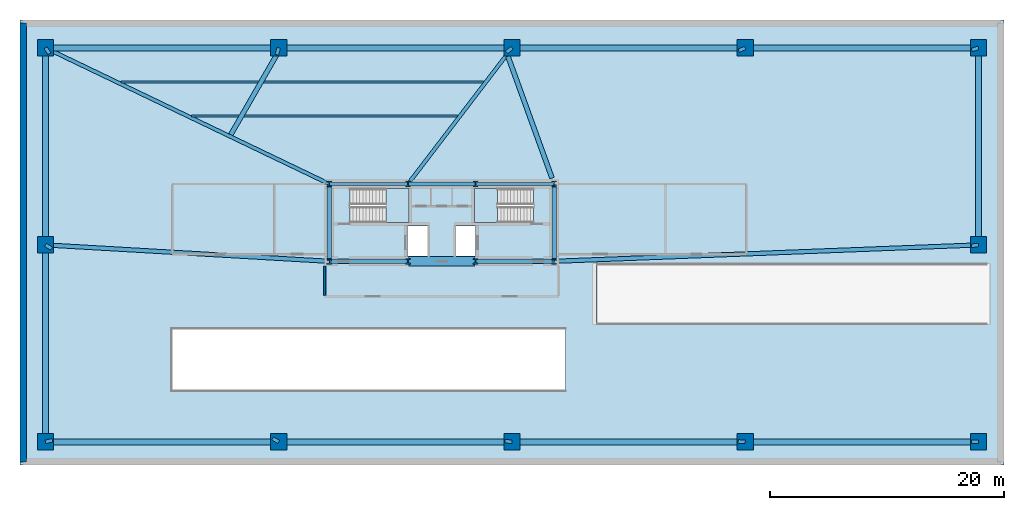
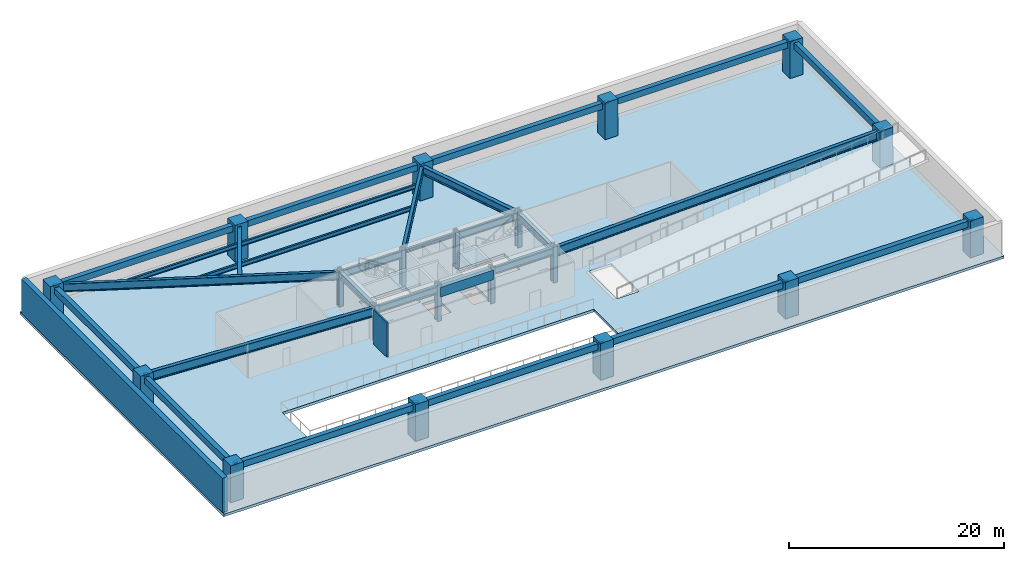
# One storey, part 1 of 7: 39 beams, 20 columns, 3 slabs, 2 walls, 2 elements without a shape of their own.
"""IFC4 building model written with IfcOpenShell, lengths in metres."""

from ifc_helpers import new_model, si_unit, direction, frame, frame_2d, origin, origin_2d, place, context, subcontext, project, spatial, polyline, rectangle, i_section, outline, extrude, source, transform, mapped, material, layer, layer_set, material_profile, profile_set, type_object, type_shapes, element, aggregate, save


model = new_model("IFC4")

# Units and contexts
model_context = context("Model", 3, precision=1e-05, world=origin(), true_north=direction((0.0, 1.0)))
body_context = subcontext(model_context, "Body", "Model", "MODEL_VIEW")
ifc_project = project(units=[si_unit("LENGTHUNIT", "METRE"), si_unit("AREAUNIT", "SQUARE_METRE"), si_unit("VOLUMEUNIT", "CUBIC_METRE"), si_unit("PLANEANGLEUNIT", "RADIAN"), si_unit("MASSUNIT", "GRAM", prefix="KILO")], contexts=[model_context])

# Site, building, storey
site_placement = place(None, origin())
site = spatial("IfcSite", under=ifc_project, at=site_placement, CompositionType="ELEMENT")
building_placement = place(site_placement, origin())
building = spatial("IfcBuilding", under=site, at=building_placement, Name="Astriad Promenade Condominiums", CompositionType="ELEMENT")
storey_placement = place(building_placement, frame((0.0, 0.0, -4.199951171875)))
storey = spatial("IfcBuildingStorey", under=building, at=storey_placement, Name="B01", CompositionType="ELEMENT", Elevation=-4.199951171875)

# Columns
ifc_material_1 = material(Name="Steel ASTM A992 Grade 50", Category="steel")
ifc_material_profile_1 = material_profile(ifc_material_1, i_section(OverallWidth=0.43701171875, OverallDepth=0.51416015625, WebThickness=0.060546875, FlangeThickness=0.096923828125, FilletRadius=0.017822265625, at=origin_2d()), Name="W14X550")
ifc_profile_set_1 = profile_set([ifc_material_profile_1], Name="Steel ASTM A992 Grade 50")
column_type_1 = type_object("IfcColumnType", Name="STEEL CORE PILASTER W14X550", PredefinedType="PILASTER", material=ifc_profile_set_1)
shared_shape_1 = source(origin(), body_context, "Body", "SweptSolid", [
    extrude(i_section(OverallWidth=0.43701171875, OverallDepth=0.51416015625, WebThickness=0.060546875, FlangeThickness=0.096923828125, FilletRadius=0.017822265625, at=origin_2d()), origin(), (0.0, 0.0, 1.0), 4.196044921875),
])
type_shapes(column_type_1, [shared_shape_1])
for number, where, z_axis, x_axis, name in (
    (1, (26.39990234375, 17.39990234375, 0.001953125), (0.0, 0.0, 1.0), (1.0, 0.0, 0.0), "Core Pilaster Column CP1 (B01)"),
    (2, (33.1201171875, 17.39990234375, 0.001953125), (0.0, 0.0, 1.0), (1.0, 0.0, 0.0), "Core Pilaster Column CP2 (B01)"),
    (3, (38.8798828125, 17.39990234375, 0.001953125), (0.0, 0.0, 1.0), (1.0, 0.0, 0.0), "Core Pilaster Column CP3 (B01)"),
    (4, (45.60009765625, 17.39990234375, 0.001953125), (0.0, 0.0, 1.0), (1.0, 0.0, 0.0), "Core Pilaster Column CP4 (B01)"),
    (5, (26.39990234375, 24.0, 0.001953125), (0.0, 0.0, 1.0), (1.0, 0.0, 0.0), "Core Pilaster Column CP5 (B01)"),
    (6, (33.1201171875, 24.0, 0.001953125), (0.0, 0.0, 1.0), (1.0, 0.0, 0.0), "Core Pilaster Column CP6 (B01)"),
    (7, (38.8798828125, 24.0, 0.001953125), (0.0, 0.0, 1.0), (1.0, 0.0, 0.0), "Core Pilaster Column CP7 (B01)"),
    (8, (45.60009765625, 24.0, 0.001953125), (0.0, 0.0, 1.0), (1.0, 0.0, 0.0), "Core Pilaster Column CP8 (B01)"),
):
    element("IfcColumn", number, at=place(storey_placement, frame(where, z_axis=z_axis, x_axis=x_axis)), inside=storey, type_object=column_type_1, Name=name, PredefinedType="PILASTER", context=body_context, shape_type="MappedRepresentation", body=[
        mapped(shared_shape_1, transform((0.0, 0.0, 0.0), scale=1.0)),
    ])
ifc_material_2 = material(Name="Concrete C80/95", Category="concrete")
ifc_material_profile_2 = material_profile(ifc_material_2, rectangle(XDim=1.39990234375, YDim=1.39990234375, at=origin_2d()), Name="RC-COL-1400X1400")
ifc_profile_set_2 = profile_set([ifc_material_profile_2], Name="Concrete C80/95")
column_type_2 = type_object("IfcColumnType", Name="CONCRETE MEGA COLUMN 1400X1400", PredefinedType="COLUMN", material=ifc_profile_set_2)
shared_shape_2 = source(origin(), body_context, "Body", "SweptSolid", [
    extrude(rectangle(XDim=1.39990234375, YDim=1.39990234375, at=origin_2d()), origin(), (0.0, 0.0, 1.0), 4.194091796875),
])
type_shapes(column_type_2, [shared_shape_2])
for number, where, z_axis, x_axis, name in (
    (9, (2.179931640625, 1.97998046875, 0.001953125), (0.0, 0.0, 1.0), (1.0, 0.0, 0.0), "Perimeter Column PC01 (B01)"),
    (10, (22.090087890625, 1.97998046875, 0.001953125), (0.0, 0.0, 1.0), (1.0, 0.0, 0.0), "Perimeter Column PC02 (B01)"),
    (11, (42.0, 1.97998046875, 0.001953125), (0.0, 0.0, 1.0), (1.0, 0.0, 0.0), "Perimeter Column PC03 (B01)"),
    (12, (61.909912109375, 1.97998046875, 0.001953125), (0.0, 0.0, 1.0), (1.0, 0.0, 0.0), "Perimeter Column PC04 (B01)"),
    (13, (81.820068359375, 1.97998046875, 0.001953125), (0.0, 0.0, 1.0), (1.0, 0.0, 0.0), "Perimeter Column PC05 (B01)"),
    (14, (2.179931640625, 35.6201171875, 0.001953125), (0.0, 0.0, 1.0), (1.0, 0.0, 0.0), "Perimeter Column PC06 (B01)"),
    (15, (22.090087890625, 35.6201171875, 0.001953125), (0.0, 0.0, 1.0), (1.0, 0.0, 0.0), "Perimeter Column PC07 (B01)"),
    (16, (42.0, 35.6201171875, 0.001953125), (0.0, 0.0, 1.0), (1.0, 0.0, 0.0), "Perimeter Column PC08 (B01)"),
    (17, (61.909912109375, 35.6201171875, 0.001953125), (0.0, 0.0, 1.0), (1.0, 0.0, 0.0), "Perimeter Column PC09 (B01)"),
    (18, (81.820068359375, 35.6201171875, 0.001953125), (0.0, 0.0, 1.0), (1.0, 0.0, 0.0), "Perimeter Column PC10 (B01)"),
    (19, (2.179931640625, 18.800048828125, 0.001953125), (0.0, 0.0, 1.0), (1.0, 0.0, 0.0), "Perimeter Column PC11 (B01)"),
    (20, (81.820068359375, 18.800048828125, 0.001953125), (0.0, 0.0, 1.0), (1.0, 0.0, 0.0), "Perimeter Column PC12 (B01)"),
):
    element("IfcColumn", number, at=place(storey_placement, frame(where, z_axis=z_axis, x_axis=x_axis)), inside=storey, type_object=column_type_2, Name=name, PredefinedType="COLUMN", context=body_context, shape_type="MappedRepresentation", body=[
        mapped(shared_shape_2, transform((0.0, 0.0, 0.0), scale=1.0)),
    ])

# Beams
ifc_material_profile_3 = material_profile(ifc_material_1, i_section(OverallWidth=0.3837890625, OverallDepth=0.785888671875, WebThickness=0.019775390625, FlangeThickness=0.033447265625, FilletRadius=0.021484375, at=origin_2d()), Name="W30X211")
ifc_profile_set_3 = profile_set([ifc_material_profile_3], Name="Steel ASTM A992 Grade 50")
beam_type_1 = type_object("IfcBeamType", Name="STEEL FLOOR GIRDER W30X211", PredefinedType="BEAM", material=ifc_profile_set_3)
shared_shape_3 = source(origin(), body_context, "Body", "SweptSolid", [
    extrude(i_section(OverallWidth=0.3837890625, OverallDepth=0.785888671875, WebThickness=0.019775390625, FlangeThickness=0.033447265625, FilletRadius=0.021484375, at=origin_2d()), origin(), (0.0, 0.0, 1.0), 6.64013671875),
])
type_shapes(beam_type_1, [shared_shape_3])
for number, where, z_axis, x_axis, name in (
    (21, (26.43994140625, 17.39990234375, 3.507080078125), (1.0, 0.0, 0.0), (0.0, 1.0, 0.0), "Core Ring Beam CG-S1-B01"),
    (22, (38.919921875, 17.39990234375, 3.507080078125), (1.0, 0.0, 0.0), (0.0, 1.0, 0.0), "Core Ring Beam CG-S3-B01"),
):
    element("IfcBeam", number, at=place(storey_placement, frame(where, z_axis=z_axis, x_axis=x_axis)), inside=storey, type_object=beam_type_1, Name=name, PredefinedType="BEAM", context=body_context, shape_type="MappedRepresentation", body=[
        mapped(shared_shape_3, transform((0.0, 0.0, 0.0), scale=1.0)),
    ])
ifc_material_profile_4 = material_profile(ifc_material_2, rectangle(XDim=0.800048828125, YDim=1.10009765625, at=origin_2d()), Name="RC-BM-800X1100")
ifc_profile_set_4 = profile_set([ifc_material_profile_4], Name="Concrete C80/95")
beam_type_2 = type_object("IfcBeamType", Name="CONCRETE CORE COUPLING LINTEL 800X1100", PredefinedType="LINTEL", material=ifc_profile_set_4)
shared_shape_4 = source(origin(), body_context, "Body", "SweptSolid", [
    extrude(rectangle(XDim=0.800048828125, YDim=1.10009765625, at=origin_2d()), origin(), (0.0, 0.0, 1.0), 5.68017578125),
])
type_shapes(beam_type_2, [shared_shape_4])
beam_1_placement = place(storey_placement, frame((33.159912109375, 17.39990234375, 3.349853515625), z_axis=(1.0, 0.0, 0.0), x_axis=(0.0, 1.0, 0.0)))
element("IfcBeam", 23, at=beam_1_placement, inside=storey, type_object=beam_type_2, Name="Core Ring Beam CG-S2-B01", PredefinedType="LINTEL", context=body_context, shape_type="MappedRepresentation", body=[
    mapped(shared_shape_4, transform((0.0, 0.0, 0.0), scale=1.0)),
])
ifc_material_profile_5 = material_profile(ifc_material_1, i_section(OverallWidth=0.267822265625, OverallDepth=0.76953125, WebThickness=0.015625, FlangeThickness=0.025390625, FilletRadius=0.021484375, at=origin_2d()), Name="W30X132")
ifc_profile_set_5 = profile_set([ifc_material_profile_5], Name="Steel ASTM A992 Grade 50")
beam_type_3 = type_object("IfcBeamType", Name="STEEL FLOOR GIRDER W30X132", PredefinedType="BEAM", material=ifc_profile_set_5)
shared_shape_5 = source(origin(), body_context, "Body", "SweptSolid", [
    extrude(i_section(OverallWidth=0.267822265625, OverallDepth=0.76953125, WebThickness=0.015625, FlangeThickness=0.025390625, FilletRadius=0.021484375, at=origin_2d()), origin(), (0.0, 0.0, 1.0), 6.64013671875),
])
type_shapes(beam_type_3, [shared_shape_5])
for number, where, z_axis, x_axis, name in (
    (24, (26.43994140625, 24.0, 3.51513671875), (1.0, 0.0, 0.0), (0.0, 1.0, 0.0), "Core Ring Beam CG-N1-B01"),
    (25, (38.919921875, 24.0, 3.51513671875), (1.0, 0.0, 0.0), (0.0, 1.0, 0.0), "Core Ring Beam CG-N3-B01"),
):
    element("IfcBeam", number, at=place(storey_placement, frame(where, z_axis=z_axis, x_axis=x_axis)), inside=storey, type_object=beam_type_3, Name=name, PredefinedType="BEAM", context=body_context, shape_type="MappedRepresentation", body=[
        mapped(shared_shape_5, transform((0.0, 0.0, 0.0), scale=1.0)),
    ])
ifc_material_profile_6 = material_profile(ifc_material_1, i_section(OverallWidth=0.3046875, OverallDepth=0.307861328125, WebThickness=0.010009765625, FlangeThickness=0.015380859375, FilletRadius=0.01513671875, at=origin_2d()), Name="W12X65")
ifc_profile_set_6 = profile_set([ifc_material_profile_6], Name="Steel ASTM A992 Grade 50")
beam_type_4 = type_object("IfcBeamType", Name="STEEL OPENING LINTEL W12X65", PredefinedType="LINTEL", material=ifc_profile_set_6)
shared_shape_6 = source(origin(), body_context, "Body", "SweptSolid", [
    extrude(i_section(OverallWidth=0.3046875, OverallDepth=0.307861328125, WebThickness=0.010009765625, FlangeThickness=0.015380859375, FilletRadius=0.01513671875, at=origin_2d()), origin(), (0.0, 0.0, 1.0), 5.68017578125),
])
type_shapes(beam_type_4, [shared_shape_6])
beam_2_placement = place(storey_placement, frame((33.159912109375, 24.0, 3.74609375), z_axis=(1.0, 0.0, 0.0), x_axis=(0.0, 1.0, 0.0)))
element("IfcBeam", 26, at=beam_2_placement, inside=storey, type_object=beam_type_4, Name="Core Ring Beam CG-N2-B01", PredefinedType="LINTEL", context=body_context, shape_type="MappedRepresentation", body=[
    mapped(shared_shape_6, transform((0.0, 0.0, 0.0), scale=1.0)),
])
ifc_material_profile_7 = material_profile(ifc_material_1, i_section(OverallWidth=0.35791015625, OverallDepth=0.706298828125, WebThickness=0.018310546875, FlangeThickness=0.0302734375, FilletRadius=0.020263671875, at=origin_2d()), Name="W27X178")
ifc_profile_set_7 = profile_set([ifc_material_profile_7], Name="Steel ASTM A992 Grade 50")
beam_type_5 = type_object("IfcBeamType", Name="STEEL FLOOR GIRDER W27X178", PredefinedType="BEAM", material=ifc_profile_set_7)
shared_shape_7 = source(origin(), body_context, "Body", "SweptSolid", [
    extrude(i_section(OverallWidth=0.35791015625, OverallDepth=0.706298828125, WebThickness=0.018310546875, FlangeThickness=0.0302734375, FilletRadius=0.020263671875, at=origin_2d()), origin(), (0.0, 0.0, 1.0), 6.52001953125),
])
type_shapes(beam_type_5, [shared_shape_7])
for number, where, z_axis, x_axis, name in (
    (27, (26.39990234375, 17.43994140625, 3.546630859375), (0.0, 1.0, 0.0), (-1.0, 0.0, 0.0), "Core Ring Beam CG-W1-B01"),
    (28, (45.60009765625, 17.43994140625, 3.546630859375), (0.0, 1.0, 0.0), (-1.0, 0.0, 0.0), "Core Ring Beam CG-E1-B01"),
):
    element("IfcBeam", number, at=place(storey_placement, frame(where, z_axis=z_axis, x_axis=x_axis)), inside=storey, type_object=beam_type_5, Name=name, PredefinedType="BEAM", context=body_context, shape_type="MappedRepresentation", body=[
        mapped(shared_shape_7, transform((0.0, 0.0, 0.0), scale=1.0)),
    ])
ifc_material_3 = material(Name="Concrete C50/60", Category="concrete")
ifc_material_profile_8 = material_profile(ifc_material_3, rectangle(XDim=0.5, YDim=0.699951171875, at=origin_2d()), Name="RC-BM-500X700")
ifc_profile_set_8 = profile_set([ifc_material_profile_8], Name="Concrete C50/60")
beam_type_6 = type_object("IfcBeamType", Name="CONCRETE BASEMENT BEAM 500X700", PredefinedType="BEAM", material=ifc_profile_set_8)
shared_shape_8 = source(origin(), body_context, "Body", "SweptSolid", [
    extrude(rectangle(XDim=0.5, YDim=0.699951171875, at=origin_2d()), origin(), (0.0, 0.0, 1.0), 19.830078125),
])
for number, where, z_axis, x_axis, name in (
    (29, (2.219970703125, 1.97998046875, 3.550048828125), (1.0, 0.0, 0.0), (0.0, 1.0, 0.0), "Perimeter Spandrel Beam SP-S1-B01"),
    (30, (22.1298828125, 1.97998046875, 3.550048828125), (1.0, 0.0, 0.0), (0.0, 1.0, 0.0), "Perimeter Spandrel Beam SP-S2-B01"),
    (31, (42.0400390625, 1.97998046875, 3.550048828125), (1.0, 0.0, 0.0), (0.0, 1.0, 0.0), "Perimeter Spandrel Beam SP-S3-B01"),
    (32, (61.949951171875, 1.97998046875, 3.550048828125), (1.0, 0.0, 0.0), (0.0, 1.0, 0.0), "Perimeter Spandrel Beam SP-S4-B01"),
    (33, (81.780029296875, 35.6201171875, 3.550048828125), (-1.0, 0.0, 0.0), (0.0, -1.0, 0.0), "Perimeter Spandrel Beam SP-N4-B01"),
    (34, (61.8701171875, 35.6201171875, 3.550048828125), (-1.0, 0.0, 0.0), (0.0, -1.0, 0.0), "Perimeter Spandrel Beam SP-N3-B01"),
    (35, (41.9599609375, 35.6201171875, 3.550048828125), (-1.0, 0.0, 0.0), (0.0, -1.0, 0.0), "Perimeter Spandrel Beam SP-N2-B01"),
    (36, (22.050048828125, 35.6201171875, 3.550048828125), (-1.0, 0.0, 0.0), (0.0, -1.0, 0.0), "Perimeter Spandrel Beam SP-N1-B01"),
):
    element("IfcBeam", number, at=place(storey_placement, frame(where, z_axis=z_axis, x_axis=x_axis)), inside=storey, type_object=beam_type_6, Name=name, PredefinedType="BEAM", context=body_context, shape_type="MappedRepresentation", body=[
        mapped(shared_shape_8, transform((0.0, 0.0, 0.0), scale=1.0)),
    ])
shared_shape_9 = source(origin(), body_context, "Body", "SweptSolid", [
    extrude(rectangle(XDim=0.5, YDim=0.699951171875, at=origin_2d()), origin(), (0.0, 0.0, 1.0), 16.739990234375),
])
type_shapes(beam_type_6, [shared_shape_8, shared_shape_9])
for number, where, z_axis, x_axis, name in (
    (37, (81.820068359375, 18.840087890625, 3.550048828125), (0.0, 1.0, 0.0), (-1.0, 0.0, 0.0), "Perimeter Spandrel Beam SP-E2-B01"),
    (38, (2.179931640625, 35.580078125, 3.550048828125), (0.0, -1.0, 0.0), (1.0, 0.0, 0.0), "Perimeter Spandrel Beam SP-W2-B01"),
    (39, (2.179931640625, 18.760009765625, 3.550048828125), (0.0, -1.0, 0.0), (1.0, 0.0, 0.0), "Perimeter Spandrel Beam SP-W1-B01"),
):
    element("IfcBeam", number, at=place(storey_placement, frame(where, z_axis=z_axis, x_axis=x_axis)), inside=storey, type_object=beam_type_6, Name=name, PredefinedType="BEAM", context=body_context, shape_type="MappedRepresentation", body=[
        mapped(shared_shape_9, transform((0.0, 0.0, 0.0), scale=1.0)),
    ])
ifc_material_profile_9 = material_profile(ifc_material_1, i_section(OverallWidth=0.361083984375, OverallDepth=1.025634765625, WebThickness=0.01904296875, FlangeThickness=0.0361328125, FilletRadius=0.025390625, at=origin_2d()), Name="W40X249")
ifc_profile_set_9 = profile_set([ifc_material_profile_9], Name="Steel ASTM A992 Grade 50")
beam_type_7 = type_object("IfcBeamType", Name="STEEL PODIUM GIRDER W40X249", PredefinedType="BEAM", material=ifc_profile_set_9)
shared_shape_10 = source(origin(), body_context, "Body", "SweptSolid", [
    extrude(i_section(OverallWidth=0.361083984375, OverallDepth=1.025634765625, WebThickness=0.01904296875, FlangeThickness=0.0361328125, FilletRadius=0.025390625, at=origin_2d()), origin(), (0.0, 0.0, 1.0), 24.180419921875),
])
beam_3_placement = place(storey_placement, frame((2.219970703125, 18.797607421875, 3.386962890625), z_axis=(0.99833384015, -0.057702197622, 0.0), x_axis=(0.057702197622, 0.99833384015, 0.0)))
element("IfcBeam", 40, at=beam_3_placement, inside=storey, type_object=beam_type_7, Name="Primary Floor Girder PG-WM-B01", PredefinedType="BEAM", context=body_context, shape_type="MappedRepresentation", body=[
    mapped(shared_shape_10, transform((0.0, 0.0, 0.0), scale=1.0)),
])
shared_shape_11 = source(origin(), body_context, "Body", "SweptSolid", [
    extrude(i_section(OverallWidth=0.361083984375, OverallDepth=1.025634765625, WebThickness=0.01904296875, FlangeThickness=0.0361328125, FilletRadius=0.025390625, at=origin_2d()), origin(), (0.0, 0.0, 1.0), 36.167236328125),
])
type_shapes(beam_type_7, [shared_shape_10, shared_shape_11])
beam_4_placement = place(storey_placement, frame((81.780029296875, 18.798583984375, 3.386962890625), z_axis=(-0.999253757657, -0.03862548133, 0.0), x_axis=(0.03862548133, -0.999253757657, 0.0)))
element("IfcBeam", 41, at=beam_4_placement, inside=storey, type_object=beam_type_7, Name="Primary Floor Girder PG-EM-B01", PredefinedType="BEAM", context=body_context, shape_type="MappedRepresentation", body=[
    mapped(shared_shape_11, transform((0.0, 0.0, 0.0), scale=1.0)),
])
ifc_material_profile_10 = material_profile(ifc_material_1, i_section(OverallWidth=0.307861328125, OverallDepth=0.9267578125, WebThickness=0.019287109375, FlangeThickness=0.031982421875, FilletRadius=0.024169921875, at=origin_2d()), Name="W36X194")
ifc_profile_set_10 = profile_set([ifc_material_profile_10], Name="Steel ASTM A992 Grade 50")
beam_type_8 = type_object("IfcBeamType", Name="STEEL PRIMARY GIRDER W36X194", PredefinedType="BEAM", material=ifc_profile_set_10)
shared_shape_12 = source(origin(), body_context, "Body", "SweptSolid", [
    extrude(i_section(OverallWidth=0.307861328125, OverallDepth=0.9267578125, WebThickness=0.019287109375, FlangeThickness=0.031982421875, FilletRadius=0.024169921875, at=origin_2d()), origin(), (0.0, 0.0, 1.0), 26.783203125),
])
beam_5_placement = place(storey_placement, frame((2.216064453125, 35.602783203125, 3.4365234375), z_axis=(0.901604120096, -0.432562146548, 0.0), x_axis=(0.432562146548, 0.901604120096, 0.0)))
element("IfcBeam", 42, at=beam_5_placement, inside=storey, type_object=beam_type_8, Name="Primary Floor Girder PG-NW-B01", PredefinedType="BEAM", context=body_context, shape_type="MappedRepresentation", body=[
    mapped(shared_shape_12, transform((0.0, 0.0, 0.0), scale=1.0)),
])
shared_shape_13 = source(origin(), body_context, "Body", "SweptSolid", [
    extrude(i_section(OverallWidth=0.307861328125, OverallDepth=0.9267578125, WebThickness=0.019287109375, FlangeThickness=0.031982421875, FilletRadius=0.024169921875, at=origin_2d()), origin(), (0.0, 0.0, 1.0), 14.54443359375),
])
type_shapes(beam_type_8, [shared_shape_12, shared_shape_13])
beam_6_placement = place(storey_placement, frame((41.9755859375, 35.588134765625, 3.4365234375), z_axis=(-0.607192131568, -0.794555042374, 0.0), x_axis=(0.794555042374, -0.607192131568, 0.0)))
element("IfcBeam", 43, at=beam_6_placement, inside=storey, type_object=beam_type_8, Name="Primary Floor Girder PG-NC-B01", PredefinedType="BEAM", context=body_context, shape_type="MappedRepresentation", body=[
    mapped(shared_shape_13, transform((0.0, 0.0, 0.0), scale=1.0)),
])
ifc_material_profile_11 = material_profile(ifc_material_1, i_section(OverallWidth=0.19287109375, OverallDepth=0.466064453125, WebThickness=0.011474609375, FlangeThickness=0.01904296875, FilletRadius=0.01513671875, at=origin_2d()), Name="W18X65")
ifc_profile_set_11 = profile_set([ifc_material_profile_11], Name="Steel ASTM A992 Grade 50")
beam_type_9 = type_object("IfcBeamType", Name="STEEL FLOOR JOIST W18X65", PredefinedType="JOIST", material=ifc_profile_set_11)
shared_shape_14 = source(origin(), body_context, "Body", "SweptSolid", [
    extrude(i_section(OverallWidth=0.19287109375, OverallDepth=0.466064453125, WebThickness=0.011474609375, FlangeThickness=0.01904296875, FilletRadius=0.01513671875, at=origin_2d()), origin(), (0.0, 0.0, 1.0), 30.9755859375),
])
beam_7_placement = place(storey_placement, frame((8.600830078125, 32.715087890625, 3.666748046875), z_axis=(1.0, 0.0, 0.0), x_axis=(0.0, 1.0, 0.0)))
element("IfcBeam", 44, at=beam_7_placement, inside=storey, type_object=beam_type_9, Name="Secondary Composite Floor Joist JNW-1-B01", PredefinedType="JOIST", context=body_context, shape_type="MappedRepresentation", body=[
    mapped(shared_shape_14, transform((0.0, 0.0, 0.0), scale=1.0)),
])
shared_shape_15 = source(origin(), body_context, "Body", "SweptSolid", [
    extrude(i_section(OverallWidth=0.19287109375, OverallDepth=0.466064453125, WebThickness=0.011474609375, FlangeThickness=0.01904296875, FilletRadius=0.01513671875, at=origin_2d()), origin(), (0.0, 0.0, 1.0), 22.700439453125),
])
type_shapes(beam_type_9, [shared_shape_14, shared_shape_15])
beam_8_placement = place(storey_placement, frame((14.65576171875, 29.81005859375, 3.666748046875), z_axis=(1.0, 0.0, 0.0), x_axis=(0.0, 1.0, 0.0)))
element("IfcBeam", 45, at=beam_8_placement, inside=storey, type_object=beam_type_9, Name="Secondary Composite Floor Joist JNW-2-B01", PredefinedType="JOIST", context=body_context, shape_type="MappedRepresentation", body=[
    mapped(shared_shape_15, transform((0.0, 0.0, 0.0), scale=1.0)),
])
ifc_material_profile_12 = material_profile(ifc_material_1, i_section(OverallWidth=0.3046875, OverallDepth=0.307861328125, WebThickness=0.010009765625, FlangeThickness=0.015380859375, FilletRadius=0.01513671875, at=origin_2d()), Name="W12X65")
ifc_profile_set_12 = profile_set([ifc_material_profile_12], Name="Steel ASTM A992 Grade 50")
beam_type_10 = type_object("IfcBeamType", Name="STEEL TRANSFER SPLICE HEADER W12X65", PredefinedType="LINTEL", material=ifc_profile_set_12)
shared_shape_16 = source(origin(), body_context, "Body", "SweptSolid", [
    extrude(i_section(OverallWidth=0.3046875, OverallDepth=0.307861328125, WebThickness=0.010009765625, FlangeThickness=0.015380859375, FilletRadius=0.01513671875, at=origin_2d()), origin(), (0.0, 0.0, 1.0), 0.6015625),
])
for number, where, z_axis, x_axis, name in (
    (46, (2.179931640625, 1.97998046875, 3.74609375), (0.970807283839, 0.239860829744, 0.0), (-0.239860829744, 0.970807283839, 0.0), "Column Transfer Splice Header SPL-PC01-B01"),
    (47, (81.820068359375, 1.97998046875, 3.74609375), (-0.998629016063, 0.052345852528, 0.0), (-0.052345852528, -0.998629016063, 0.0), "Column Transfer Splice Header SPL-PC05-B01"),
    (48, (2.179931640625, 35.6201171875, 3.74609375), (0.556758715315, -0.83067426403, 0.0), (0.83067426403, 0.556758715315, 0.0), "Column Transfer Splice Header SPL-PC06-B01"),
    (49, (22.090087890625, 35.6201171875, 3.74609375), (-0.279594826335, -0.960118082887, 0.0), (0.960118082887, -0.279594826335, 0.0), "Column Transfer Splice Header SPL-PC07-B01"),
    (50, (42.0, 35.6201171875, 3.74609375), (-0.780551906511, -0.625090970373, 0.0), (0.625090970373, -0.780551906511, 0.0), "Column Transfer Splice Header SPL-PC08-B01"),
    (51, (61.909912109375, 35.6201171875, 3.74609375), (-0.910671987738, -0.413130161995, 0.0), (0.413130161995, -0.910671987738, 0.0), "Column Transfer Splice Header SPL-PC09-B01"),
    (52, (81.820068359375, 35.6201171875, 3.74609375), (-0.953441469372, -0.301578123348, 0.0), (0.301578123348, -0.953441469372, 0.0), "Column Transfer Splice Header SPL-PC10-B01"),
    (53, (2.179931640625, 18.800048828125, 3.74609375), (0.848999964493, -0.528392903332, 0.0), (0.528392903332, 0.848999964493, 0.0), "Column Transfer Splice Header SPL-PC11-B01"),
    (54, (81.820068359375, 18.800048828125, 3.74609375), (-0.991477762645, -0.130276038399, 0.0), (0.130276038399, -0.991477762645, 0.0), "Column Transfer Splice Header SPL-PC12-B01"),
):
    element("IfcBeam", number, at=place(storey_placement, frame(where, z_axis=z_axis, x_axis=x_axis)), inside=storey, type_object=beam_type_10, Name=name, PredefinedType="LINTEL", context=body_context, shape_type="MappedRepresentation", body=[
        mapped(shared_shape_16, transform((0.0, 0.0, 0.0), scale=1.0)),
    ])
shared_shape_17 = source(origin(), body_context, "Body", "SweptSolid", [
    extrude(i_section(OverallWidth=0.3046875, OverallDepth=0.307861328125, WebThickness=0.010009765625, FlangeThickness=0.015380859375, FilletRadius=0.01513671875, at=origin_2d()), origin(), (0.0, 0.0, 1.0), 0.601806640625),
])
beam_9_placement = place(storey_placement, frame((22.090087890625, 1.97998046875, 3.74609375), z_axis=(-0.86376418553, 0.503896251023, 0.0), x_axis=(-0.503896251023, -0.86376418553, 0.0)))
element("IfcBeam", 55, at=beam_9_placement, inside=storey, type_object=beam_type_10, Name="Column Transfer Splice Header SPL-PC02-B01", PredefinedType="LINTEL", context=body_context, shape_type="MappedRepresentation", body=[
    mapped(shared_shape_17, transform((0.0, 0.0, 0.0), scale=1.0)),
])
shared_shape_18 = source(origin(), body_context, "Body", "SweptSolid", [
    extrude(i_section(OverallWidth=0.3046875, OverallDepth=0.307861328125, WebThickness=0.010009765625, FlangeThickness=0.015380859375, FilletRadius=0.01513671875, at=origin_2d()), origin(), (0.0, 0.0, 1.0), 0.601318359375),
])
type_shapes(beam_type_10, [shared_shape_16, shared_shape_17, shared_shape_18])
for number, where, z_axis, x_axis, name in (
    (56, (42.0, 1.97998046875, 3.74609375), (-0.991312783741, 0.131525529047, 0.0), (-0.131525529047, -0.991312783741, 0.0), "Column Transfer Splice Header SPL-PC03-B01"),
    (57, (61.909912109375, 1.97998046875, 3.74609375), (-0.997175032889, 0.075112940181, 0.0), (-0.075112940181, -0.997175032889, 0.0), "Column Transfer Splice Header SPL-PC04-B01"),
):
    element("IfcBeam", number, at=place(storey_placement, frame(where, z_axis=z_axis, x_axis=x_axis)), inside=storey, type_object=beam_type_10, Name=name, PredefinedType="LINTEL", context=body_context, shape_type="MappedRepresentation", body=[
        mapped(shared_shape_18, transform((0.0, 0.0, 0.0), scale=1.0)),
    ])
ifc_material_profile_13 = material_profile(ifc_material_1, i_section(OverallWidth=0.4013671875, OverallDepth=0.877197265625, WebThickness=0.022216796875, FlangeThickness=0.039794921875, FilletRadius=0.02294921875, at=origin_2d()), Name="W33X263")
ifc_profile_set_13 = profile_set([ifc_material_profile_13], Name="Steel ASTM A992 Grade 50")
beam_type_11 = type_object("IfcBeamType", Name="STEEL TRANSFER CARRIER GIRDER W33X263", PredefinedType="BEAM", material=ifc_profile_set_13)
shared_shape_19 = source(origin(), body_context, "Body", "SweptSolid", [
    extrude(i_section(OverallWidth=0.4013671875, OverallDepth=0.877197265625, WebThickness=0.022216796875, FlangeThickness=0.039794921875, FilletRadius=0.02294921875, at=origin_2d()), origin(), (0.0, 0.0, 1.0), 7.876953125),
])
beam_10_placement = place(storey_placement, frame((17.994140625, 28.214599609375, 3.46142578125), z_axis=(0.498633583567, 0.866812868698, 0.0), x_axis=(-0.866812868698, 0.498633583567, 0.0)))
element("IfcBeam", 58, at=beam_10_placement, inside=storey, type_object=beam_type_11, Name="Transfer Splice Carrier TRM-SP-PC07-B01", PredefinedType="BEAM", context=body_context, shape_type="MappedRepresentation", body=[
    mapped(shared_shape_19, transform((0.0, 0.0, 0.0), scale=1.0)),
])
shared_shape_20 = source(origin(), body_context, "Body", "SweptSolid", [
    extrude(i_section(OverallWidth=0.4013671875, OverallDepth=0.877197265625, WebThickness=0.022216796875, FlangeThickness=0.039794921875, FilletRadius=0.02294921875, at=origin_2d()), origin(), (0.0, 0.0, 1.0), 11.05712890625),
])
type_shapes(beam_type_11, [shared_shape_19, shared_shape_20])
beam_11_placement = place(storey_placement, frame((45.417724609375, 24.503662109375, 3.46142578125), z_axis=(-0.340315542118, 0.940311295153, 0.0), x_axis=(-0.940311295153, -0.340315542118, 0.0)))
element("IfcBeam", 59, at=beam_11_placement, inside=storey, type_object=beam_type_11, Name="Transfer Splice Carrier TRM-SP-PC08-B01", PredefinedType="BEAM", context=body_context, shape_type="MappedRepresentation", body=[
    mapped(shared_shape_20, transform((0.0, 0.0, 0.0), scale=1.0)),
])

# Slab
ifc_layer_1 = layer(ifc_material_3, 0.300048828125)
ifc_layer_set_1 = layer_set([ifc_layer_1], Name="Concrete C50/60")
slab_type_1 = type_object("IfcSlabType", Name="CONCRETE PODIUM AND PLANT FLOOR SLAB 300", PredefinedType="FLOOR", material=ifc_layer_set_1)
slab_1_placement = place(storey_placement, frame((0.0, 0.0, -0.300048828125)))
element("IfcSlab", 60, at=slab_1_placement, inside=storey, type_object=slab_type_1, Name="Structural Floor Slab (B01)", PredefinedType="FLOOR", context=body_context, shape_type="SweptSolid", body=[
    extrude(outline(polyline([(0.0, 0.0), (84.0, 0.0), (84.0, 38.0), (0.0, 38.0), (0.0, 0.0)]), holes=[polyline([(28.175048828125, 20.699951171875), (33.175048828125, 20.699951171875), (33.175048828125, 23.60009765625), (28.175048828125, 23.60009765625), (28.175048828125, 20.699951171875)]), polyline([(38.824951171875, 20.699951171875), (43.824951171875, 20.699951171875), (43.824951171875, 23.60009765625), (38.824951171875, 23.60009765625), (38.824951171875, 20.699951171875)]), polyline([(33.10009765625, 17.85009765625), (34.800048828125, 17.85009765625), (34.800048828125, 20.39990234375), (33.10009765625, 20.39990234375), (33.10009765625, 17.85009765625)]), polyline([(37.199951171875, 17.85009765625), (38.89990234375, 17.85009765625), (38.89990234375, 20.39990234375), (37.199951171875, 20.39990234375), (37.199951171875, 17.85009765625)]), polyline([(13.0, 6.39990234375), (46.56005859375, 6.39990234375), (46.56005859375, 11.60009765625), (13.0, 11.60009765625), (13.0, 6.39990234375)]), polyline([(49.25, 12.0), (51.669921875, 12.0), (51.669921875, 17.199951171875), (49.25, 17.199951171875), (49.25, 12.0)])]), origin(), (0.0, 0.0, 1.0), 0.300048828125),
])

# Stair, slab
stair_type = type_object("IfcStairType", Name="STR-CORE-1350", PredefinedType="HALF_TURN_STAIR", material=ifc_material_3)
stair_1_placement = place(storey_placement, origin())
stair_1 = element("IfcStair", 61, at=stair_1_placement, inside=storey, type_object=stair_type, Name="B01 Enclosed Core Exit Stair ST-1", PredefinedType="HALF_TURN_STAIR")
ifc_layer_2 = layer(ifc_material_3, 0.219970703125)
ifc_layer_set_2 = layer_set([ifc_layer_2], Name="Concrete C50/60")
slab_type_2 = type_object("IfcSlabType", Name="SLB-LANDING-220", PredefinedType="LANDING", material=ifc_layer_set_2)
slab_2_placement = place(storey_placement, frame((0.0, 0.0, 1.89990234375)))
slab_2 = element("IfcSlab", 62, at=slab_2_placement, type_object=slab_type_2, Name="ST-1 landing 1", PredefinedType="LANDING", context=body_context, shape_type="SweptSolid", body=[
    extrude(outline(polyline([(31.22998046875, 20.699951171875), (33.199951171875, 20.699951171875), (33.199951171875, 23.60009765625), (31.22998046875, 23.60009765625), (31.22998046875, 20.699951171875)])), origin(), (0.0, 0.0, 1.0), 0.199951171875),
])
aggregate(stair_1, [slab_2])

stair_2_placement = place(storey_placement, origin())
stair_2 = element("IfcStair", 63, at=stair_2_placement, inside=storey, type_object=stair_type, Name="B01 Enclosed Core Exit Stair ST-2", PredefinedType="HALF_TURN_STAIR")
slab_3_placement = place(storey_placement, frame((0.0, 0.0, 1.89990234375)))
slab_3 = element("IfcSlab", 64, at=slab_3_placement, type_object=slab_type_2, Name="ST-2 landing 1", PredefinedType="LANDING", context=body_context, shape_type="SweptSolid", body=[
    extrude(outline(polyline([(40.77001953125, 23.60009765625), (38.800048828125, 23.60009765625), (38.800048828125, 20.699951171875), (40.77001953125, 20.699951171875), (40.77001953125, 23.60009765625)])), origin(), (0.0, 0.0, 1.0), 0.199951171875),
])
aggregate(stair_2, [slab_3])

# Walls
ifc_material_4 = material(Name="Fire-Rated Gypsum Partition")
ifc_layer_3 = layer(ifc_material_4, 0.159912109375)
ifc_layer_set_3 = layer_set([ifc_layer_3], Name="Fire-Rated Gypsum Partition")
wall_type_1 = type_object("IfcWallType", Name="WALL-CORR-160", PredefinedType="PARTITIONING", material=ifc_layer_set_3)
wall_1_placement = place(storey_placement, frame((26.0, 14.48193359375, 0.0), z_axis=(0.0, 0.0, 1.0), x_axis=(0.0, 1.0, 0.0)))
element("IfcWall", 65, at=wall_1_placement, inside=storey, type_object=wall_type_1, Name="PT-B01-VLOB-W", PredefinedType="PARTITIONING", context=body_context, shape_type="SweptSolid", body=[
    extrude(rectangle(XDim=2.51611328125, YDim=0.159912109375, at=frame_2d((1.258056640625, 0.0))), origin(), (0.0, 0.0, 1.0), 3.89990234375),
])
ifc_layer_4 = layer(ifc_material_3, 0.550048828125)
ifc_layer_set_4 = layer_set([ifc_layer_4], Name="Concrete C50/60")
wall_type_2 = type_object("IfcWallType", Name="WALL-RET-550", PredefinedType="SOLIDWALL", material=ifc_layer_set_4)
wall_2_placement = place(storey_placement, frame((0.27490234375, 0.27490234375, 0.0), z_axis=(0.0, 0.0, 1.0), x_axis=(0.0, 1.0, 0.0)))
element("IfcWall", 66, at=wall_2_placement, inside=storey, type_object=wall_type_2, Name="W-RET-B01-1", PredefinedType="SOLIDWALL", context=body_context, shape_type="SweptSolid", body=[
    extrude(rectangle(XDim=37.4501953125, YDim=0.550048828125, at=frame_2d((18.72509765625, 0.0))), origin(), (0.0, 0.0, 1.0), 3.89990234375),
])

save(model, "model.ifc")
